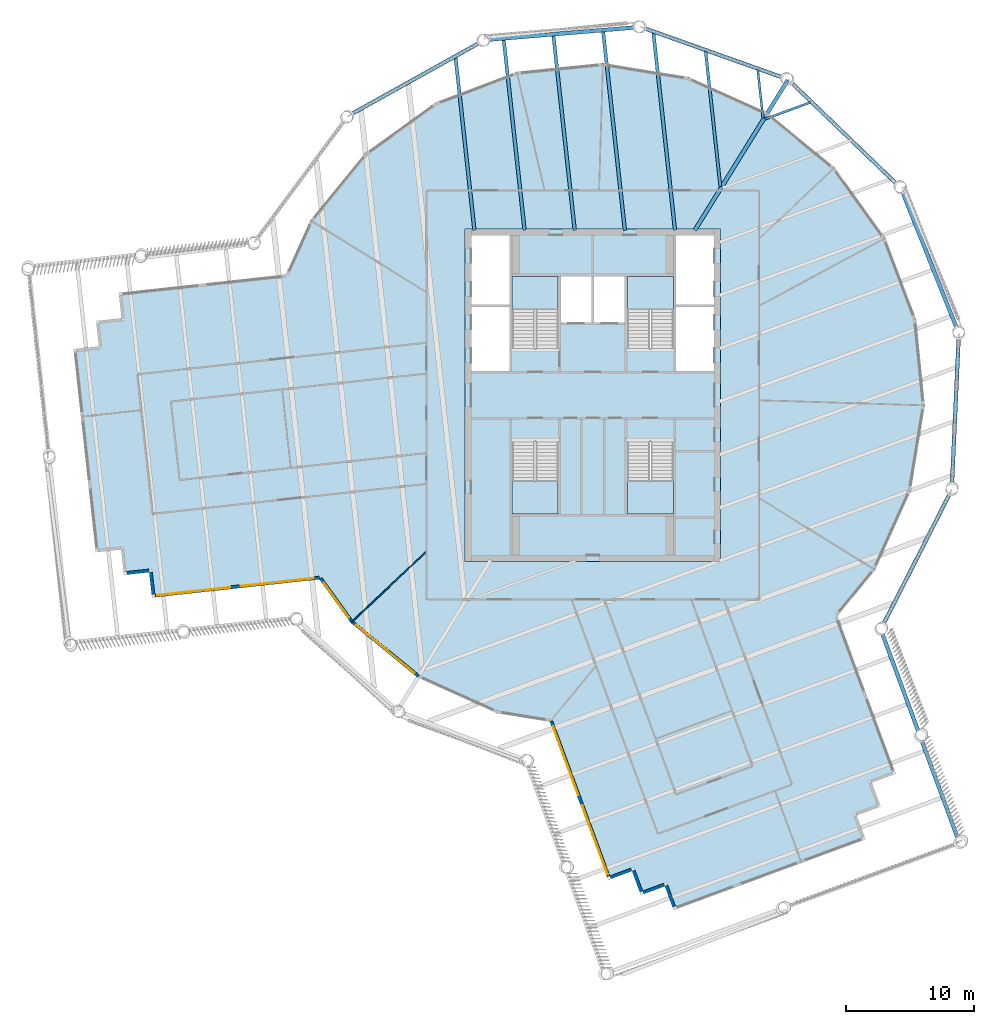
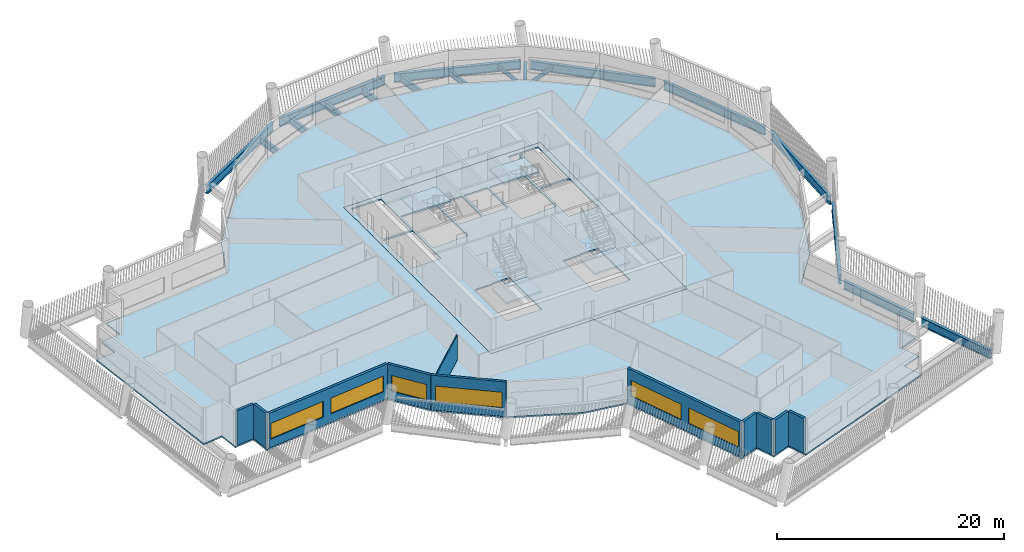
# One storey, part 2 of 14: 18 beams, 11 walls, 6 slabs, 6 windows, 6 openings, 4 elements without a shape of their own.
"""IFC4 building model written with IfcOpenShell, lengths in metres."""

from ifc_helpers import new_model, si_unit, direction, frame, frame_2d, origin, origin_2d, place, context, subcontext, project, spatial, polyline, rectangle, i_section, outline, extrude, material, layer, layer_set, material_profile, profile_set, type_object, element, fill, aggregate, save


model = new_model("IFC4")

# Units and contexts
model_context = context("Model", 3, precision=1e-05, world=origin(), true_north=direction((0.0, 1.0)))
body_context = subcontext(model_context, "Body", "Model", "MODEL_VIEW")
ifc_project = project(units=[si_unit("LENGTHUNIT", "METRE"), si_unit("AREAUNIT", "SQUARE_METRE"), si_unit("VOLUMEUNIT", "CUBIC_METRE"), si_unit("PLANEANGLEUNIT", "RADIAN"), si_unit("MASSUNIT", "GRAM", prefix="KILO")], contexts=[model_context])

# Site, building, storey
site_placement = place(None, origin())
site = spatial("IfcSite", under=ifc_project, at=site_placement, CompositionType="ELEMENT")
building_placement = place(site_placement, origin())
building = spatial("IfcBuilding", under=site, at=building_placement, Name="Tarsis Ring Headquarters", CompositionType="ELEMENT")
storey_placement = place(building_placement, frame((0.0, 0.0, 311.89990234375)))
storey = spatial("IfcBuildingStorey", under=building, at=storey_placement, Name="L73", CompositionType="ELEMENT", Elevation=311.89990234375)

# Beams
ifc_material_1 = material(Name="Structural steel S355", Category="steel")
ifc_material_profile_1 = material_profile(ifc_material_1, i_section(OverallWidth=0.177734375, OverallDepth=0.406494140625, WebThickness=0.0078125, FlangeThickness=0.0126953125, at=origin_2d()), Name="W16x40")
ifc_profile_set_1 = profile_set([ifc_material_profile_1], Name="Structural steel S355")
beam_type_1 = type_object("IfcBeamType", Name="FB Floor beam W16x40", PredefinedType="JOIST", material=ifc_profile_set_1)
for number, where, z_axis, x_axis, name in (
    (1, (13.4794921875, 21.596923828125, -0.363037109375), (0.938255455404, 0.345943204016, 0.0), (-0.345943204016, 0.938255455404, 0.0), "Floor beam FB1"),
    (2, (12.9072265625, 25.477783203125, -0.363037109375), (0.10868498472, -0.994076241591, 0.0), (0.994076241591, 0.10868498472, 0.0), "Floor beam FB1"),
):
    element("IfcBeam", number, at=place(storey_placement, frame(where, z_axis=z_axis, x_axis=x_axis)), inside=storey, type_object=beam_type_1, Name=name, PredefinedType="JOIST", context=body_context, shape_type="SweptSolid", body=[
        extrude(i_section(OverallWidth=0.177734375, OverallDepth=0.406494140625, WebThickness=0.0078125, FlangeThickness=0.0126953125, at=origin_2d()), origin(), (0.0, 0.0, 1.0), 3.80517578125),
    ])
ifc_material_profile_2 = material_profile(ifc_material_1, i_section(OverallWidth=0.228271484375, OverallDepth=0.607177734375, WebThickness=0.01123046875, FlangeThickness=0.017333984375, at=origin_2d()), Name="W24x76")
ifc_profile_set_2 = profile_set([ifc_material_profile_2], Name="Structural steel S355")
beam_type_2 = type_object("IfcBeamType", Name="FB Floor beam W24x76", PredefinedType="JOIST", material=ifc_profile_set_2)
beam_1_placement = place(storey_placement, frame((8.8251953125, 26.930419921875, -0.46337890625), z_axis=(0.108695897149, -0.994075048446, 0.0), x_axis=(0.994075048446, 0.108695897149, 0.0)))
element("IfcBeam", 3, at=beam_1_placement, inside=storey, type_object=beam_type_2, Name="Floor beam FB4", PredefinedType="JOIST", context=body_context, shape_type="SweptSolid", body=[
    extrude(i_section(OverallWidth=0.228271484375, OverallDepth=0.607177734375, WebThickness=0.01123046875, FlangeThickness=0.017333984375, at=origin_2d()), origin(), (0.0, 0.0, 1.0), 10.6845703125),
])
ifc_material_profile_3 = material_profile(ifc_material_1, i_section(OverallWidth=0.2666015625, OverallDepth=0.7568359375, WebThickness=0.013916015625, FlangeThickness=0.019287109375, at=origin_2d()), Name="W30x108")
ifc_profile_set_3 = profile_set([ifc_material_profile_3], Name="Structural steel S355")
beam_type_3 = type_object("IfcBeamType", Name="FB Floor beam W30x108", PredefinedType="JOIST", material=ifc_profile_set_3)
beam_2_placement = place(storey_placement, frame((4.742919921875, 28.383056640625, -0.538330078125), z_axis=(0.108709164871, -0.994073597614, 0.0), x_axis=(0.994073597614, 0.108709164871, 0.0)))
element("IfcBeam", 4, at=beam_2_placement, inside=storey, type_object=beam_type_3, Name="Floor beam FB6", PredefinedType="JOIST", context=body_context, shape_type="SweptSolid", body=[
    extrude(i_section(OverallWidth=0.2666015625, OverallDepth=0.7568359375, WebThickness=0.013916015625, FlangeThickness=0.019287109375, at=origin_2d()), origin(), (0.0, 0.0, 1.0), 15.57470703125),
])
beam_3_placement = place(storey_placement, frame((0.806396484375, 28.50537109375, -0.538330078125), z_axis=(0.108697054448, -0.994074921902, 0.0), x_axis=(0.994074921902, 0.108697054448, 0.0)))
element("IfcBeam", 5, at=beam_3_placement, inside=storey, type_object=beam_type_3, Name="Floor beam FB6", PredefinedType="JOIST", context=body_context, shape_type="SweptSolid", body=[
    extrude(i_section(OverallWidth=0.2666015625, OverallDepth=0.7568359375, WebThickness=0.013916015625, FlangeThickness=0.019287109375, at=origin_2d()), origin(), (0.0, 0.0, 1.0), 15.69775390625),
])
beam_4_placement = place(storey_placement, frame((-3.08154296875, 28.18212890625, -0.538330078125), z_axis=(0.108693487053, -0.994075311972, 0.0), x_axis=(0.994075311972, 0.108693487053, 0.0)))
element("IfcBeam", 6, at=beam_4_placement, inside=storey, type_object=beam_type_3, Name="Floor beam FB6", PredefinedType="JOIST", context=body_context, shape_type="SweptSolid", body=[
    extrude(i_section(OverallWidth=0.2666015625, OverallDepth=0.7568359375, WebThickness=0.013916015625, FlangeThickness=0.019287109375, at=origin_2d()), origin(), (0.0, 0.0, 1.0), 15.37255859375),
])
beam_5_placement = place(storey_placement, frame((-6.969482421875, 27.85888671875, -0.538330078125), z_axis=(0.108705798535, -0.994073965741, 0.0), x_axis=(0.994073965741, 0.108705798535, 0.0)))
element("IfcBeam", 7, at=beam_5_placement, inside=storey, type_object=beam_type_3, Name="Floor beam FB6", PredefinedType="JOIST", context=body_context, shape_type="SweptSolid", body=[
    extrude(i_section(OverallWidth=0.2666015625, OverallDepth=0.7568359375, WebThickness=0.013916015625, FlangeThickness=0.019287109375, at=origin_2d()), origin(), (0.0, 0.0, 1.0), 15.04736328125),
])
beam_6_placement = place(storey_placement, frame((-10.738525390625, 26.448486328125, -0.538330078125), z_axis=(0.10870114453, -0.994074474664, 0.0), x_axis=(0.994074474664, 0.10870114453, 0.0)))
element("IfcBeam", 8, at=beam_6_placement, inside=storey, type_object=beam_type_3, Name="Floor beam FB6", PredefinedType="JOIST", context=body_context, shape_type="SweptSolid", body=[
    extrude(i_section(OverallWidth=0.2666015625, OverallDepth=0.7568359375, WebThickness=0.013916015625, FlangeThickness=0.019287109375, at=origin_2d()), origin(), (0.0, 0.0, 1.0), 13.628662109375),
])
ifc_material_profile_4 = material_profile(ifc_material_1, i_section(OverallWidth=0.309814453125, OverallDepth=0.949951171875, WebThickness=0.0244140625, FlangeThickness=0.0439453125, at=origin_2d()), Name="W36x256")
ifc_profile_set_4 = profile_set([ifc_material_profile_4], Name="Structural steel S355")
beam_type_4 = type_object("IfcBeamType", Name="FB Floor beam W36x256 spine", PredefinedType="BEAM", material=ifc_profile_set_4)
beam_7_placement = place(storey_placement, frame((15.25927734375, 24.649169921875, -0.635009765625), z_axis=(-0.526363749855, -0.850259491472, 0.0), x_axis=(0.850259491472, -0.526363749855, 0.0)))
element("IfcBeam", 9, at=beam_7_placement, inside=storey, type_object=beam_type_4, Name="Floor beam SB11", PredefinedType="BEAM", context=body_context, shape_type="SweptSolid", body=[
    extrude(i_section(OverallWidth=0.309814453125, OverallDepth=0.949951171875, WebThickness=0.0244140625, FlangeThickness=0.0439453125, at=origin_2d()), origin(), (0.0, 0.0, 1.0), 13.800537109375),
])
ifc_material_profile_5 = material_profile(ifc_material_1, i_section(OverallWidth=0.309814453125, OverallDepth=0.93212890625, WebThickness=0.02099609375, FlangeThickness=0.034423828125, at=origin_2d()), Name="W36x210")
ifc_profile_set_5 = profile_set([ifc_material_profile_5], Name="Structural steel S355")
beam_type_5 = type_object("IfcBeamType", Name="XG Ring girder W36x210", PredefinedType="BEAM", material=ifc_profile_set_5)
for number, where, z_axis, x_axis, name in (
    (10, (28.542724609375, -34.629638671875, -0.466064453125), (-0.345956024223, 0.938250728379, 0.0), (-0.938250728379, -0.345956024223, 0.0), "Ring girder XG3"),
    (11, (25.462890625, -26.277099609375, -0.466064453125), (-0.345956024223, 0.938250728379, 0.0), (-0.938250728379, -0.345956024223, 0.0), "Ring girder XG3"),
):
    element("IfcBeam", number, at=place(storey_placement, frame(where, z_axis=z_axis, x_axis=x_axis)), inside=storey, type_object=beam_type_5, Name=name, PredefinedType="BEAM", context=body_context, shape_type="SweptSolid", body=[
        extrude(i_section(OverallWidth=0.309814453125, OverallDepth=0.93212890625, WebThickness=0.02099609375, FlangeThickness=0.034423828125, at=origin_2d()), origin(), (0.0, 0.0, 1.0), 8.03369140625),
    ])
for number, where, z_axis, x_axis, name in (
    (12, (22.730224609375, -17.94482421875, -0.466064453125), (0.453347215686, 0.891334001388, 0.0), (-0.891334001388, 0.453347215686, 0.0), "Ring girder XG3"),
    (13, (28.106201171875, -6.980224609375, -0.466064453125), (0.045652892123, 0.998957363175, 0.0), (-0.998957363175, 0.045652892123, 0.0), "Ring girder XG3"),
    (14, (28.484619140625, 5.225341796875, -0.466064453125), (-0.370154934432, 0.92897003424, 0.0), (-0.92897003424, -0.370154934432, 0.0), "Ring girder XG3"),
):
    element("IfcBeam", number, at=place(storey_placement, frame(where, z_axis=z_axis, x_axis=x_axis)), inside=storey, type_object=beam_type_5, Name=name, PredefinedType="BEAM", context=body_context, shape_type="SweptSolid", body=[
        extrude(i_section(OverallWidth=0.309814453125, OverallDepth=0.93212890625, WebThickness=0.02099609375, FlangeThickness=0.034423828125, at=origin_2d()), origin(), (0.0, 0.0, 1.0), 11.380126953125),
    ])
beam_8_placement = place(storey_placement, frame((23.798583984375, 16.501953125, -0.466064453125), z_axis=(-0.720177279981, 0.693790087417, 0.0), x_axis=(-0.693790087417, -0.720177279981, 0.0)))
element("IfcBeam", 15, at=beam_8_placement, inside=storey, type_object=beam_type_5, Name="Ring girder XG3", PredefinedType="BEAM", context=body_context, shape_type="SweptSolid", body=[
    extrude(i_section(OverallWidth=0.309814453125, OverallDepth=0.93212890625, WebThickness=0.02099609375, FlangeThickness=0.034423828125, at=origin_2d()), origin(), (0.0, 0.0, 1.0), 11.38037109375),
])
for number, where, z_axis, x_axis, name in (
    (16, (14.880859375, 24.844482421875, -0.466064453125), (-0.942121354018, 0.33527206013, 0.0), (-0.33527206013, -0.942121354018, 0.0), "Ring girder XG3"),
    (17, (3.3173828125, 28.76953125, -0.466064453125), (-0.996560094737, -0.082873262135, 0.0), (0.082873262135, -0.996560094737, 0.0), "Ring girder XG3"),
    (18, (-8.836181640625, 27.5791015625, -0.466064453125), (-0.873799819131, -0.486285796716, 0.0), (0.486285796716, -0.873799819131, 0.0), "Ring girder XG3"),
):
    element("IfcBeam", number, at=place(storey_placement, frame(where, z_axis=z_axis, x_axis=x_axis)), inside=storey, type_object=beam_type_5, Name=name, PredefinedType="BEAM", context=body_context, shape_type="SweptSolid", body=[
        extrude(i_section(OverallWidth=0.309814453125, OverallDepth=0.93212890625, WebThickness=0.02099609375, FlangeThickness=0.034423828125, at=origin_2d()), origin(), (0.0, 0.0, 1.0), 11.380126953125),
    ])

# Slab
ifc_material_2 = material(Name="Concrete C40/50", Category="concrete")
ifc_layer_1 = layer(ifc_material_2, 0.159912109375)
ifc_layer_set_1 = layer_set([ifc_layer_1], Name="Core floor slab 160 C40/50")
slab_type_1 = type_object("IfcSlabType", Name="Core floor slab 160 C40/50", PredefinedType="FLOOR", material=ifc_layer_set_1)
slab_1_placement = place(storey_placement, frame((0.0, 0.0, -0.159912109375)))
element("IfcSlab", 19, at=slab_1_placement, inside=storey, type_object=slab_type_1, Name="L73 core floor slab", PredefinedType="FLOOR", context=body_context, shape_type="SweptSolid", body=[
    extrude(outline(polyline([(-10.0, -13.0), (10.0, -13.0), (10.0, 13.0), (-10.0, 13.0), (-10.0, -13.0)]), holes=[polyline([(-2.5, 5.699951171875), (-0.10009765625, 5.699951171875), (-0.10009765625, 9.300048828125), (-2.5, 9.300048828125), (-2.5, 5.699951171875)]), polyline([(0.10009765625, 5.699951171875), (2.5, 5.699951171875), (2.5, 9.300048828125), (0.10009765625, 9.300048828125), (0.10009765625, 5.699951171875)]), polyline([(-9.5, 1.89990234375), (-6.5, 1.89990234375), (-6.5, 6.89990234375), (-9.5, 6.89990234375), (-9.5, 1.89990234375)]), polyline([(-9.5, 7.10009765625), (-6.5, 7.10009765625), (-6.5, 12.5), (-9.5, 12.5), (-9.5, 7.10009765625)]), polyline([(6.5, 1.89990234375), (9.5, 1.89990234375), (9.5, 6.89990234375), (6.5, 6.89990234375), (6.5, 1.89990234375)]), polyline([(6.5, 7.10009765625), (9.5, 7.10009765625), (9.5, 12.5), (6.5, 12.5), (6.5, 7.10009765625)]), polyline([(-2.699951171875, 3.760009765625), (-2.699951171875, 9.300048828125), (-6.300048828125, 9.300048828125), (-6.300048828125, 3.659912109375), (-4.4599609375, 3.659912109375), (-4.4599609375, 3.760009765625), (-2.699951171875, 3.760009765625)]), polyline([(6.300048828125, 3.760009765625), (6.300048828125, 9.300048828125), (2.699951171875, 9.300048828125), (2.699951171875, 3.659912109375), (4.5400390625, 3.659912109375), (4.5400390625, 3.760009765625), (6.300048828125, 3.760009765625)]), polyline([(-6.300048828125, -3.760009765625), (-6.300048828125, -9.300048828125), (-2.699951171875, -9.300048828125), (-2.699951171875, -3.659912109375), (-4.5400390625, -3.659912109375), (-4.5400390625, -3.760009765625), (-6.300048828125, -3.760009765625)]), polyline([(2.699951171875, -3.760009765625), (2.699951171875, -9.300048828125), (6.300048828125, -9.300048828125), (6.300048828125, -3.659912109375), (4.4599609375, -3.659912109375), (4.4599609375, -3.760009765625), (2.699951171875, -3.760009765625)])]), origin(), (0.0, 0.0, 1.0), 0.159912109375),
])

# Stair, slab
ifc_material_3 = material(Name="Core stair 1760")
stair_type = type_object("IfcStairType", Name="Core stair 1760", PredefinedType="HALF_TURN_STAIR", material=ifc_material_3)
stair_1_placement = place(storey_placement, origin())
stair_1 = element("IfcStair", 20, at=stair_1_placement, inside=storey, type_object=stair_type, Name="L73 Firefighting stair", PredefinedType="HALF_TURN_STAIR")
ifc_layer_2 = layer(ifc_material_2, 0.199951171875)
ifc_layer_set_2 = layer_set([ifc_layer_2], Name="Core stair landing 200")
slab_type_2 = type_object("IfcSlabType", Name="Core stair landing 200", PredefinedType="LANDING", material=ifc_layer_set_2)
slab_2_placement = place(storey_placement, frame((0.0, 0.0, 1.75)))
slab_2 = element("IfcSlab", 21, at=slab_2_placement, type_object=slab_type_2, Name="Stair ST1 landing 1", PredefinedType="LANDING", context=body_context, shape_type="SweptSolid", body=[
    extrude(outline(polyline([(-2.699951171875, 6.739990234375), (-2.699951171875, 9.300048828125), (-6.300048828125, 9.300048828125), (-6.300048828125, 6.739990234375), (-2.699951171875, 6.739990234375)])), origin(), (0.0, 0.0, 1.0), 0.2001953125),
])
aggregate(stair_1, [slab_2])

stair_2_placement = place(storey_placement, origin())
stair_2 = element("IfcStair", 22, at=stair_2_placement, inside=storey, type_object=stair_type, Name="L73 Exit stair B", PredefinedType="HALF_TURN_STAIR")
slab_3_placement = place(storey_placement, frame((0.0, 0.0, 1.75)))
slab_3 = element("IfcSlab", 23, at=slab_3_placement, type_object=slab_type_2, Name="Stair ST2 landing 1", PredefinedType="LANDING", context=body_context, shape_type="SweptSolid", body=[
    extrude(outline(polyline([(6.300048828125, 6.739990234375), (6.300048828125, 9.300048828125), (2.699951171875, 9.300048828125), (2.699951171875, 6.739990234375), (6.300048828125, 6.739990234375)])), origin(), (0.0, 0.0, 1.0), 0.2001953125),
])
aggregate(stair_2, [slab_3])

stair_3_placement = place(storey_placement, origin())
stair_3 = element("IfcStair", 24, at=stair_3_placement, inside=storey, type_object=stair_type, Name="L73 Exit stair C", PredefinedType="HALF_TURN_STAIR")
slab_4_placement = place(storey_placement, frame((0.0, 0.0, 1.75)))
slab_4 = element("IfcSlab", 25, at=slab_4_placement, type_object=slab_type_2, Name="Stair ST3 landing 1", PredefinedType="LANDING", context=body_context, shape_type="SweptSolid", body=[
    extrude(outline(polyline([(-6.300048828125, -6.739990234375), (-6.300048828125, -9.300048828125), (-2.699951171875, -9.300048828125), (-2.699951171875, -6.739990234375), (-6.300048828125, -6.739990234375)])), origin(), (0.0, 0.0, 1.0), 0.2001953125),
])
aggregate(stair_3, [slab_4])

stair_4_placement = place(storey_placement, origin())
stair_4 = element("IfcStair", 26, at=stair_4_placement, inside=storey, type_object=stair_type, Name="L73 Exit stair D", PredefinedType="HALF_TURN_STAIR")
slab_5_placement = place(storey_placement, frame((0.0, 0.0, 1.75)))
slab_5 = element("IfcSlab", 27, at=slab_5_placement, type_object=slab_type_2, Name="Stair ST4 landing 1", PredefinedType="LANDING", context=body_context, shape_type="SweptSolid", body=[
    extrude(outline(polyline([(2.699951171875, -6.739990234375), (2.699951171875, -9.300048828125), (6.300048828125, -9.300048828125), (6.300048828125, -6.739990234375), (2.699951171875, -6.739990234375)])), origin(), (0.0, 0.0, 1.0), 0.2001953125),
])
aggregate(stair_4, [slab_5])

# Slab
ifc_material_4 = material(Name="Concrete C35/45", Category="concrete")
ifc_layer_3 = layer(ifc_material_4, 0.159912109375)
ifc_layer_set_3 = layer_set([ifc_layer_3], Name="FS Composite floor slab 160")
slab_type_3 = type_object("IfcSlabType", Name="FS Composite floor slab 160", PredefinedType="FLOOR", material=ifc_layer_set_3)
slab_6_placement = place(storey_placement, frame((0.0, 0.0, -0.159912109375)))
element("IfcSlab", 28, at=slab_6_placement, inside=storey, type_object=slab_type_3, Name="Floor slab L73", PredefinedType="FLOOR", context=body_context, shape_type="SweptSolid", body=[
    extrude(outline(polyline([(-21.388427734375, -14.41015625), (-18.940673828125, -17.8115234375), (-13.685302734375, -22.106689453125), (-7.49755859375, -24.8955078125), (-3.361572265625, -25.56982421875), (1.1953125, -37.928466796875), (3.07177734375, -37.236572265625), (3.763671875, -39.113037109375), (5.64013671875, -38.421142578125), (6.33203125, -40.297607421875), (21.34423828125, -34.762451171875), (20.65234375, -32.885986328125), (22.52880859375, -32.194091796875), (21.8369140625, -30.317626953125), (23.71337890625, -29.625732421875), (19.16357421875, -17.286376953125), (22.106689453125, -13.685302734375), (24.8955078125, -7.49755859375), (25.98779296875, -0.798583984375), (25.308837890625, 5.954833984375), (22.9052734375, 12.30224609375), (18.940673828125, 17.8115234375), (13.685302734375, 22.106689453125), (7.49755859375, 24.8955078125), (0.798583984375, 25.98779296875), (-5.954833984375, 25.308837890625), (-12.30224609375, 22.9052734375), (-17.8115234375, 18.940673828125), (-22.106689453125, 13.685302734375), (-24.017578125, 9.4453125), (-37.091064453125, 8.015869140625), (-36.87353515625, 6.02783203125), (-38.86181640625, 5.810302734375), (-38.644287109375, 3.822265625), (-40.632568359375, 3.60498046875), (-38.8935546875, -12.30029296875), (-36.9052734375, -12.0830078125), (-36.68798828125, -14.071044921875), (-34.69970703125, -13.853759765625), (-34.482421875, -15.841796875), (-21.388427734375, -14.41015625)]), holes=[polyline([(-10.0, -13.0), (-10.0, 13.0), (10.0, 13.0), (10.0, -13.0), (-10.0, -13.0)])]), origin(), (0.0, 0.0, 1.0), 0.159912109375),
])

# Wall
ifc_material_5 = material(Name="Gypsum board on steel studs", Category="steel")
ifc_layer_4 = layer(ifc_material_5, 0.10009765625)
ifc_layer_set_4 = layer_set([ifc_layer_4], Name="FL partition 100 unrated")
wall_type_1 = type_object("IfcWallType", Name="FL partition 100 unrated", PredefinedType="PARTITIONING", material=ifc_layer_set_4)
wall_1_placement = place(storey_placement, frame((-18.90283203125, -17.775634765625, 0.0), z_axis=(0.0, 0.0, 1.0), x_axis=(0.728502503435, 0.685043139145, 0.0)))
element("IfcWall", 29, at=wall_1_placement, inside=storey, type_object=wall_type_1, Name="Partition PW3", PredefinedType="PARTITIONING", context=body_context, shape_type="SweptSolid", body=[
    extrude(rectangle(XDim=7.982666015625, YDim=0.10009765625, at=frame_2d((3.9912109375, 0.0))), origin(), (0.0, 0.0, 1.0), 2.7001953125),
])

# Wall, openings, windows
ifc_material_6 = material(Name="Terracotta clad insulated panel wall", Category="masonry")
ifc_layer_5 = layer(ifc_material_6, 0.25)
ifc_layer_set_5 = layer_set([ifc_layer_5], Name="Facade wall terracotta panel 250")
wall_type_2 = type_object("IfcWallType", Name="Facade wall terracotta panel 250", PredefinedType="STANDARD", material=ifc_layer_set_5)
wall_2_placement = place(storey_placement, frame((-34.24755859375, -15.6904296875, 0.0), z_axis=(0.0, 0.0, 1.0), x_axis=(0.994075296676, 0.108693626946, 0.0)))
wall_2 = element("IfcWall", 30, at=wall_2_placement, inside=storey, type_object=wall_type_2, Name="External wall L73-01", PredefinedType="STANDARD", context=body_context, shape_type="SweptSolid", body=[
    extrude(rectangle(XDim=12.922119140625, YDim=0.25, at=frame_2d((6.4609375, 0.0))), origin(), (0.0, 0.0, 1.0), 3.739990234375),
])
opening_1_placement = place(wall_2_placement, frame((0.16796875, 0.0, 0.89990234375)))
opening_1 = element("IfcOpeningElement", 31, at=opening_1_placement, cuts=wall_2, Name="Opening WN06", PredefinedType="OPENING", context=body_context, shape_type="SweptSolid", body=[
    extrude(rectangle(XDim=5.75, YDim=1.699951171875, at=frame_2d((2.875, 0.85009765625))), frame((0.0, 0.135009765625, 0.0), z_axis=(0.0, -1.0, 0.0), x_axis=(1.0, 0.0, 0.0)), (0.0, 0.0, 1.0), 0.27001953125),
])
opening_2_placement = place(wall_2_placement, frame((6.75390625, 0.0, 0.89990234375)))
opening_2 = element("IfcOpeningElement", 32, at=opening_2_placement, cuts=wall_2, Name="Opening WN06", PredefinedType="OPENING", context=body_context, shape_type="SweptSolid", body=[
    extrude(rectangle(XDim=5.75, YDim=1.699951171875, at=frame_2d((2.875, 0.85009765625))), frame((0.0, 0.135009765625, 0.0), z_axis=(0.0, -1.0, 0.0), x_axis=(1.0, 0.0, 0.0)), (0.0, 0.0, 1.0), 0.27001953125),
])
ifc_material_7 = material(Name="Aluminium framed double glazing", Category="aluminium")
window_type_1 = type_object("IfcWindowType", Name="Facade window 5750 x 1700", PartitioningType="SINGLE_PANEL", PredefinedType="WINDOW", material=ifc_material_7)
window_1_placement = place(opening_1_placement, origin())
window_1 = element("IfcWindow", 33, at=window_1_placement, inside=storey, type_object=window_type_1, Name="Window L73-01.1", OverallHeight=1.699951171875, OverallWidth=5.75, PartitioningType="SINGLE_PANEL", PredefinedType="WINDOW", context=body_context, shape_type="SweptSolid", body=[
    extrude(rectangle(XDim=5.75, YDim=1.699951171875, at=frame_2d((2.875, 0.85009765625))), frame((0.0, 0.030029296875, 0.0), z_axis=(0.0, -1.0, 0.0), x_axis=(1.0, 0.0, 0.0)), (0.0, 0.0, 1.0), 0.06005859375),
])
fill(opening_1, window_1)
window_2_placement = place(opening_2_placement, origin())
window_2 = element("IfcWindow", 34, at=window_2_placement, inside=storey, type_object=window_type_1, Name="Window L73-01.2", OverallHeight=1.699951171875, OverallWidth=5.75, PartitioningType="SINGLE_PANEL", PredefinedType="WINDOW", context=body_context, shape_type="SweptSolid", body=[
    extrude(rectangle(XDim=5.75, YDim=1.699951171875, at=frame_2d((2.875, 0.85009765625))), frame((0.0, 0.030029296875, 0.0), z_axis=(0.0, -1.0, 0.0), x_axis=(1.0, 0.0, 0.0)), (0.0, 0.0, 1.0), 0.06005859375),
])
fill(opening_2, window_2)

# Wall, opening, window
wall_3_placement = place(storey_placement, frame((-21.286865234375, -14.337158203125, 0.0), z_axis=(0.0, 0.0, 1.0), x_axis=(0.584117526922, -0.811669091898, 0.0)))
wall_3 = element("IfcWall", 35, at=wall_3_placement, inside=storey, type_object=wall_type_2, Name="External wall L73-02", PredefinedType="STANDARD", context=body_context, shape_type="SweptSolid", body=[
    extrude(rectangle(XDim=4.157470703125, YDim=0.25, at=frame_2d((2.07861328125, 0.0))), origin(), (0.0, 0.0, 1.0), 3.739990234375),
])
opening_3_placement = place(wall_3_placement, frame((0.420166015625, 0.0, 0.89990234375)))
opening_3 = element("IfcOpeningElement", 36, at=opening_3_placement, cuts=wall_3, Name="Opening WN01", PredefinedType="OPENING", context=body_context, shape_type="SweptSolid", body=[
    extrude(rectangle(XDim=3.35009765625, YDim=1.699951171875, at=frame_2d((1.675048828125, 0.85009765625))), frame((0.0, 0.135009765625, 0.0), z_axis=(0.0, -1.0, 0.0), x_axis=(1.0, 0.0, 0.0)), (0.0, 0.0, 1.0), 0.27001953125),
])
window_type_2 = type_object("IfcWindowType", Name="Facade window 3350 x 1700", PartitioningType="SINGLE_PANEL", PredefinedType="WINDOW", material=ifc_material_7)
window_3_placement = place(opening_3_placement, origin())
window_3 = element("IfcWindow", 37, at=window_3_placement, inside=storey, type_object=window_type_2, Name="Window L73-02.1", OverallHeight=1.699951171875, OverallWidth=3.35009765625, PartitioningType="SINGLE_PANEL", PredefinedType="WINDOW", context=body_context, shape_type="SweptSolid", body=[
    extrude(rectangle(XDim=3.35009765625, YDim=1.699951171875, at=frame_2d((1.675048828125, 0.85009765625))), frame((0.0, 0.030029296875, 0.0), z_axis=(0.0, -1.0, 0.0), x_axis=(1.0, 0.0, 0.0)), (0.0, 0.0, 1.0), 0.06005859375),
])
fill(opening_3, window_3)

wall_4_placement = place(storey_placement, frame((-18.836181640625, -17.735595703125, 0.0), z_axis=(0.0, 0.0, 1.0), x_axis=(0.774280861493, -0.632842118957, 0.0)))
wall_4 = element("IfcWall", 38, at=wall_4_placement, inside=storey, type_object=wall_type_2, Name="External wall L73-03", PredefinedType="STANDARD", context=body_context, shape_type="SweptSolid", body=[
    extrude(rectangle(XDim=6.721435546875, YDim=0.25, at=frame_2d((3.36083984375, 0.0))), origin(), (0.0, 0.0, 1.0), 3.739990234375),
])
opening_4_placement = place(wall_4_placement, frame((0.3857421875, 0.0, 0.89990234375)))
opening_4 = element("IfcOpeningElement", 39, at=opening_4_placement, cuts=wall_4, Name="Opening WN07", PredefinedType="OPENING", context=body_context, shape_type="SweptSolid", body=[
    extrude(rectangle(XDim=5.949951171875, YDim=1.699951171875, at=frame_2d((2.97509765625, 0.85009765625))), frame((0.0, 0.135009765625, 0.0), z_axis=(0.0, -1.0, 0.0), x_axis=(1.0, 0.0, 0.0)), (0.0, 0.0, 1.0), 0.27001953125),
])
window_type_3 = type_object("IfcWindowType", Name="Facade window 5950 x 1700", PartitioningType="SINGLE_PANEL", PredefinedType="WINDOW", material=ifc_material_7)
window_4_placement = place(opening_4_placement, origin())
window_4 = element("IfcWindow", 40, at=window_4_placement, inside=storey, type_object=window_type_3, Name="Window L73-03.1", OverallHeight=1.699951171875, OverallWidth=5.949951171875, PartitioningType="SINGLE_PANEL", PredefinedType="WINDOW", context=body_context, shape_type="SweptSolid", body=[
    extrude(rectangle(XDim=5.949951171875, YDim=1.699951171875, at=frame_2d((2.97509765625, 0.85009765625))), frame((0.0, 0.030029296875, 0.0), z_axis=(0.0, -1.0, 0.0), x_axis=(1.0, 0.0, 0.0)), (0.0, 0.0, 1.0), 0.06005859375),
])
fill(opening_4, window_4)

# Wall, openings, windows
wall_5_placement = place(storey_placement, frame((-3.244384765625, -25.526611328125, 0.0), z_axis=(0.0, 0.0, 1.0), x_axis=(0.345958380549, -0.938249859541, 0.0)))
wall_5 = element("IfcWall", 41, at=wall_5_placement, inside=storey, type_object=wall_type_2, Name="External wall L73-06", PredefinedType="STANDARD", context=body_context, shape_type="SweptSolid", body=[
    extrude(rectangle(XDim=12.921875, YDim=0.25, at=frame_2d((6.4609375, 0.0))), origin(), (0.0, 0.0, 1.0), 3.739990234375),
])
opening_5_placement = place(wall_5_placement, frame((0.41796875, 0.0, 0.89990234375)))
opening_5 = element("IfcOpeningElement", 42, at=opening_5_placement, cuts=wall_5, Name="Opening WN06", PredefinedType="OPENING", context=body_context, shape_type="SweptSolid", body=[
    extrude(rectangle(XDim=5.75, YDim=1.699951171875, at=frame_2d((2.875, 0.85009765625))), frame((0.0, 0.135009765625, 0.0), z_axis=(0.0, -1.0, 0.0), x_axis=(1.0, 0.0, 0.0)), (0.0, 0.0, 1.0), 0.27001953125),
])
opening_6_placement = place(wall_5_placement, frame((7.00390625, 0.0, 0.89990234375)))
opening_6 = element("IfcOpeningElement", 43, at=opening_6_placement, cuts=wall_5, Name="Opening WN06", PredefinedType="OPENING", context=body_context, shape_type="SweptSolid", body=[
    extrude(rectangle(XDim=5.75, YDim=1.699951171875, at=frame_2d((2.875, 0.85009765625))), frame((0.0, 0.135009765625, 0.0), z_axis=(0.0, -1.0, 0.0), x_axis=(1.0, 0.0, 0.0)), (0.0, 0.0, 1.0), 0.27001953125),
])
window_5_placement = place(opening_5_placement, origin())
window_5 = element("IfcWindow", 44, at=window_5_placement, inside=storey, type_object=window_type_1, Name="Window L73-06.1", OverallHeight=1.699951171875, OverallWidth=5.75, PartitioningType="SINGLE_PANEL", PredefinedType="WINDOW", context=body_context, shape_type="SweptSolid", body=[
    extrude(rectangle(XDim=5.75, YDim=1.699951171875, at=frame_2d((2.875, 0.85009765625))), frame((0.0, 0.030029296875, 0.0), z_axis=(0.0, -1.0, 0.0), x_axis=(1.0, 0.0, 0.0)), (0.0, 0.0, 1.0), 0.06005859375),
])
fill(opening_5, window_5)
window_6_placement = place(opening_6_placement, origin())
window_6 = element("IfcWindow", 45, at=window_6_placement, inside=storey, type_object=window_type_1, Name="Window L73-06.2", OverallHeight=1.699951171875, OverallWidth=5.75, PartitioningType="SINGLE_PANEL", PredefinedType="WINDOW", context=body_context, shape_type="SweptSolid", body=[
    extrude(rectangle(XDim=5.75, YDim=1.699951171875, at=frame_2d((2.875, 0.85009765625))), frame((0.0, 0.030029296875, 0.0), z_axis=(0.0, -1.0, 0.0), x_axis=(1.0, 0.0, 0.0)), (0.0, 0.0, 1.0), 0.06005859375),
])
fill(opening_6, window_6)

# Walls
for number, where, z_axis, x_axis, name in (
    (46, (1.38671875, -37.724853515625, 0.0), (0.0, 0.0, 1.0), (0.938235883644, 0.345996281255, 0.0), "External wall L73-07"),
    (47, (3.18896484375, -37.193359375, 0.0), (0.0, 0.0, 1.0), (0.345996281255, -0.938235883644, 0.0), "External wall L73-08"),
    (48, (3.955078125, -38.909423828125, 0.0), (0.0, 0.0, 1.0), (0.938235883644, 0.345996281255, 0.0), "External wall L73-09"),
):
    element("IfcWall", number, at=place(storey_placement, frame(where, z_axis=z_axis, x_axis=x_axis)), inside=storey, type_object=wall_type_2, Name=name, PredefinedType="STANDARD", context=body_context, shape_type="SweptSolid", body=[
        extrude(rectangle(XDim=1.75, YDim=0.25, at=frame_2d((0.875, 0.0))), origin(), (0.0, 0.0, 1.0), 3.739990234375),
    ])
for number, where, z_axis, x_axis, name in (
    (49, (5.757568359375, -38.3779296875, 0.0), (0.0, 0.0, 1.0), (0.345873459507, -0.938281167885, 0.0), "External wall L73-10"),
    (50, (-36.452880859375, -13.919677734375, 0.0), (0.0, 0.0, 1.0), (0.994076167652, 0.108685660997, 0.0), "External wall L73-39"),
):
    element("IfcWall", number, at=place(storey_placement, frame(where, z_axis=z_axis, x_axis=x_axis)), inside=storey, type_object=wall_type_2, Name=name, PredefinedType="STANDARD", context=body_context, shape_type="SweptSolid", body=[
        extrude(rectangle(XDim=1.749755859375, YDim=0.25, at=frame_2d((0.875, 0.0))), origin(), (0.0, 0.0, 1.0), 3.739990234375),
    ])
wall_6_placement = place(storey_placement, frame((-34.575439453125, -13.840087890625, 0.0), z_axis=(0.0, 0.0, 1.0), x_axis=(0.108670589137, -0.994077815393, 0.0)))
element("IfcWall", 51, at=wall_6_placement, inside=storey, type_object=wall_type_2, Name="External wall L73-40", PredefinedType="STANDARD", context=body_context, shape_type="SweptSolid", body=[
    extrude(rectangle(XDim=1.75, YDim=0.25, at=frame_2d((0.875, 0.0))), origin(), (0.0, 0.0, 1.0), 3.739990234375),
])

save(model, "model.ifc")
